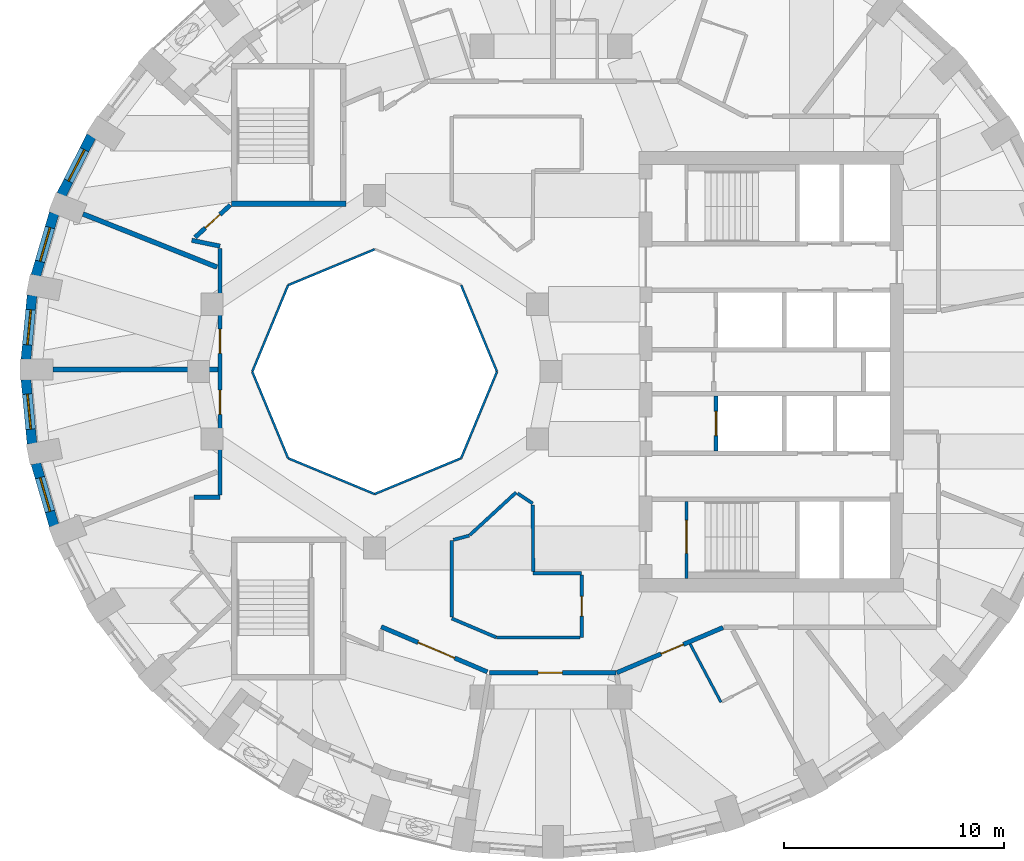
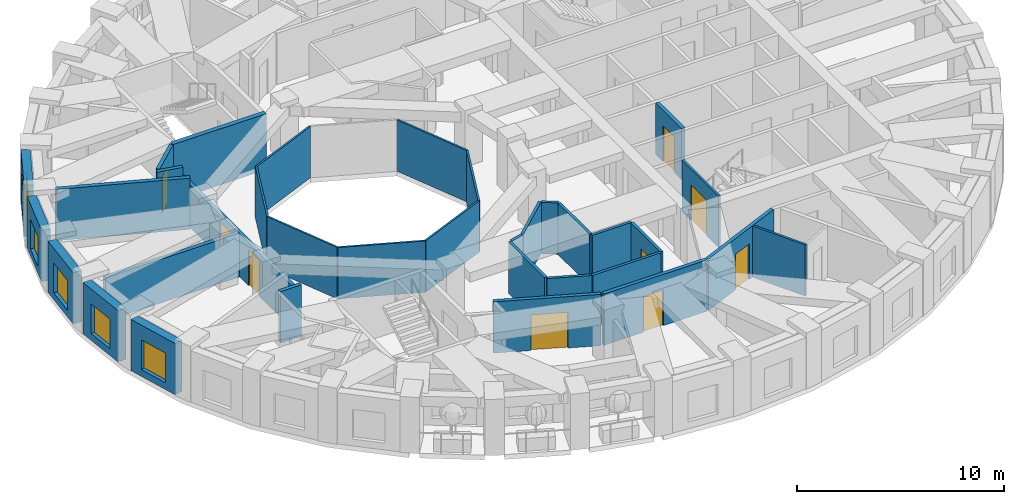
# One storey, part 4 of 12: 34 walls, 9 doors, 5 windows, 14 openings.
"""IFC4 building model written with IfcOpenShell, lengths in metres."""

from ifc_helpers import new_model, si_unit, direction, frame, frame_2d, origin, place, context, subcontext, project, spatial, rectangle, extrude, material, layer, layer_set, type_object, element, fill, save


model = new_model("IFC4")

# Units and contexts
model_context = context("Model", 3, precision=1e-05, world=origin(), true_north=direction((0.0, 1.0)))
body_context = subcontext(model_context, "Body", "Model", "MODEL_VIEW")
ifc_project = project(units=[si_unit("LENGTHUNIT", "METRE"), si_unit("AREAUNIT", "SQUARE_METRE"), si_unit("VOLUMEUNIT", "CUBIC_METRE"), si_unit("PLANEANGLEUNIT", "RADIAN"), si_unit("MASSUNIT", "GRAM", prefix="KILO")], contexts=[model_context])

# Site, building, storey
site_placement = place(None, origin())
site = spatial("IfcSite", under=ifc_project, at=site_placement, CompositionType="ELEMENT")
building_placement = place(site_placement, origin())
building = spatial("IfcBuilding", under=site, at=building_placement, Name="Taillehof Tower", CompositionType="ELEMENT")
storey_placement = place(building_placement, frame((0.0, 0.0, 168.199951171875)))
storey = spatial("IfcBuildingStorey", under=building, at=storey_placement, Name="L47", CompositionType="ELEMENT", Elevation=168.199951171875)

# Walls
ifc_material_1 = material(Name="Fire-resisting glass in steel frame", Category="steel")
ifc_layer_1 = layer(ifc_material_1, 0.10009765625)
ifc_layer_set_1 = layer_set([ifc_layer_1], Name="Atrium fire-resisting screen EI 60 100")
wall_type_1 = type_object("IfcWallType", Name="Atrium fire-resisting screen EI 60 100", PredefinedType="PARTITIONING", material=ifc_layer_set_1)
for number, where, z_axis, x_axis, name in (
    (1, (-2.44580078125, 0.0, 0.0), (0.0, 0.0, 1.0), (-0.382730523909, -0.923860025149, 0.0), "Atrium screen"),
    (2, (-4.07275390625, -3.92724609375, 0.0), (0.0, 0.0, 1.0), (-0.923860025149, -0.382730523909, 0.0), "Atrium screen"),
    (3, (-8.0, -5.55419921875, 0.0), (0.0, 0.0, 1.0), (-0.923860025149, 0.382730523909, 0.0), "Atrium screen"),
    (4, (-11.92724609375, -3.92724609375, 0.0), (0.0, 0.0, 1.0), (-0.382730523909, 0.923860025149, 0.0), "Atrium screen"),
    (5, (-13.55419921875, 0.0, 0.0), (0.0, 0.0, 1.0), (0.382730523909, 0.923860025149, 0.0), "Atrium screen"),
    (6, (-11.92724609375, 3.92724609375, 0.0), (0.0, 0.0, 1.0), (0.923860025149, 0.382730523909, 0.0), "Atrium screen"),
    (7, (-4.07275390625, 3.92724609375, 0.0), (0.0, 0.0, 1.0), (0.382730523909, -0.923860025149, 0.0), "Atrium screen"),
):
    element("IfcWall", number, at=place(storey_placement, frame(where, z_axis=z_axis, x_axis=x_axis)), inside=storey, type_object=wall_type_1, Name=name, PredefinedType="PARTITIONING", context=body_context, shape_type="SweptSolid", body=[
        extrude(rectangle(XDim=4.2509765625, YDim=0.10009765625, at=frame_2d((2.12548828125, 0.0))), origin(), (0.0, 0.0, 1.0), 3.02001953125),
    ])

# Wall, opening, window
ifc_material_2 = material(Name="Brick masonry", Category="masonry")
ifc_layer_2 = layer(ifc_material_2, 0.449951171875)
ifc_layer_set_2 = layer_set([ifc_layer_2], Name="Brick infill wall 450")
wall_type_2 = type_object("IfcWallType", Name="Brick infill wall 450", PredefinedType="SOLIDWALL", material=ifc_layer_set_2)
wall_1_placement = place(storey_placement, frame((-20.859375, 10.697021484375, 0.0), z_axis=(0.0, 0.0, 1.0), x_axis=(-0.454133999889, -0.890933392653, 0.0)))
wall_1 = element("IfcWall", 8, at=wall_1_placement, inside=storey, type_object=wall_type_2, Name="Brick wall L47 bay 16", PredefinedType="SOLIDWALL", context=body_context, shape_type="SweptSolid", body=[
    extrude(rectangle(XDim=2.98583984375, YDim=0.449951171875, at=frame_2d((1.492919921875, 0.0))), origin(), (0.0, 0.0, 1.0), 3.02001953125),
])
opening_1_placement = place(wall_1_placement, frame((0.69287109375, 0.0, 0.39990234375)))
opening_1 = element("IfcOpeningElement", 9, at=opening_1_placement, cuts=wall_1, Name="Opening W3", PredefinedType="OPENING", context=body_context, shape_type="SweptSolid", body=[
    extrude(rectangle(XDim=1.60009765625, YDim=1.75, at=frame_2d((0.800048828125, 0.875))), frame((0.0, 0.23486328125, 0.0), z_axis=(0.0, -1.0, 0.0), x_axis=(1.0, 0.0, 0.0)), (0.0, 0.0, 1.0), 0.469970703125),
])
ifc_material_3 = material(Name="Aluminium window frame with clear double glazing", Category="aluminium")
window_type = type_object("IfcWindowType", Name="Deep-set window 1600x1750", PartitioningType="SINGLE_PANEL", PredefinedType="WINDOW", material=ifc_material_3)
window_1_placement = place(opening_1_placement, origin())
window_1 = element("IfcWindow", 10, at=window_1_placement, inside=storey, type_object=window_type, Name="W3", OverallHeight=1.75, OverallWidth=1.60009765625, PartitioningType="SINGLE_PANEL", PredefinedType="WINDOW", context=body_context, shape_type="SweptSolid", body=[
    extrude(rectangle(XDim=1.60009765625, YDim=1.75, at=frame_2d((0.800048828125, 0.875))), frame((0.0, 0.034912109375, 0.0), z_axis=(0.0, -1.0, 0.0), x_axis=(1.0, 0.0, 0.0)), (0.0, 0.0, 1.0), 0.06005859375),
])
fill(opening_1, window_1)

wall_2_placement = place(storey_placement, frame((-22.55126953125, 7.19091796875, 0.0), z_axis=(0.0, 0.0, 1.0), x_axis=(-0.281125768296, -0.959670934435, 0.0)))
wall_2 = element("IfcWall", 11, at=wall_2_placement, inside=storey, type_object=wall_type_2, Name="Brick wall L47 bay 17", PredefinedType="SOLIDWALL", context=body_context, shape_type="SweptSolid", body=[
    extrude(rectangle(XDim=2.947509765625, YDim=0.449951171875, at=frame_2d((1.4736328125, 0.0))), origin(), (0.0, 0.0, 1.0), 3.02001953125),
])
opening_2_placement = place(wall_2_placement, frame((0.673583984375, 0.0, 0.39990234375)))
opening_2 = element("IfcOpeningElement", 12, at=opening_2_placement, cuts=wall_2, Name="Opening W3", PredefinedType="OPENING", context=body_context, shape_type="SweptSolid", body=[
    extrude(rectangle(XDim=1.60009765625, YDim=1.75, at=frame_2d((0.800048828125, 0.875))), frame((0.0, 0.23486328125, 0.0), z_axis=(0.0, -1.0, 0.0), x_axis=(1.0, 0.0, 0.0)), (0.0, 0.0, 1.0), 0.469970703125),
])
window_2_placement = place(opening_2_placement, origin())
window_2 = element("IfcWindow", 13, at=window_2_placement, inside=storey, type_object=window_type, Name="W3", OverallHeight=1.75, OverallWidth=1.60009765625, PartitioningType="SINGLE_PANEL", PredefinedType="WINDOW", context=body_context, shape_type="SweptSolid", body=[
    extrude(rectangle(XDim=1.60009765625, YDim=1.75, at=frame_2d((0.800048828125, 0.875))), frame((0.0, 0.034912109375, 0.0), z_axis=(0.0, -1.0, 0.0), x_axis=(1.0, 0.0, 0.0)), (0.0, 0.0, 1.0), 0.06005859375),
])
fill(opening_2, window_2)

wall_3_placement = place(storey_placement, frame((-23.5517578125, 3.468505859375, 0.0), z_axis=(0.0, 0.0, 1.0), x_axis=(-0.095265737322, -0.995451876935, 0.0)))
wall_3 = element("IfcWall", 14, at=wall_3_placement, inside=storey, type_object=wall_type_2, Name="Brick wall L47 bay 18", PredefinedType="SOLIDWALL", context=body_context, shape_type="SweptSolid", body=[
    extrude(rectangle(XDim=2.9267578125, YDim=0.449951171875, at=frame_2d((1.46337890625, 0.0))), origin(), (0.0, 0.0, 1.0), 3.02001953125),
])
opening_3_placement = place(wall_3_placement, frame((0.663330078125, 0.0, 0.39990234375)))
opening_3 = element("IfcOpeningElement", 15, at=opening_3_placement, cuts=wall_3, Name="Opening W3", PredefinedType="OPENING", context=body_context, shape_type="SweptSolid", body=[
    extrude(rectangle(XDim=1.60009765625, YDim=1.75, at=frame_2d((0.800048828125, 0.875))), frame((0.0, 0.23486328125, 0.0), z_axis=(0.0, -1.0, 0.0), x_axis=(1.0, 0.0, 0.0)), (0.0, 0.0, 1.0), 0.469970703125),
])
window_3_placement = place(opening_3_placement, origin())
window_3 = element("IfcWindow", 16, at=window_3_placement, inside=storey, type_object=window_type, Name="W3", OverallHeight=1.75, OverallWidth=1.60009765625, PartitioningType="SINGLE_PANEL", PredefinedType="WINDOW", context=body_context, shape_type="SweptSolid", body=[
    extrude(rectangle(XDim=1.60009765625, YDim=1.75, at=frame_2d((0.800048828125, 0.875))), frame((0.0, 0.034912109375, 0.0), z_axis=(0.0, -1.0, 0.0), x_axis=(1.0, 0.0, 0.0)), (0.0, 0.0, 1.0), 0.06005859375),
])
fill(opening_3, window_3)

wall_4_placement = place(storey_placement, frame((-23.83056640625, -0.35498046875, 0.0), z_axis=(0.0, 0.0, 1.0), x_axis=(0.095257827044, -0.995452633924, 0.0)))
wall_4 = element("IfcWall", 17, at=wall_4_placement, inside=storey, type_object=wall_type_2, Name="Brick wall L47 bay 19", PredefinedType="SOLIDWALL", context=body_context, shape_type="SweptSolid", body=[
    extrude(rectangle(XDim=2.927001953125, YDim=0.449951171875, at=frame_2d((1.46337890625, 0.0))), origin(), (0.0, 0.0, 1.0), 3.02001953125),
])
opening_4_placement = place(wall_4_placement, frame((0.663330078125, 0.0, 0.39990234375)))
opening_4 = element("IfcOpeningElement", 18, at=opening_4_placement, cuts=wall_4, Name="Opening W3", PredefinedType="OPENING", context=body_context, shape_type="SweptSolid", body=[
    extrude(rectangle(XDim=1.60009765625, YDim=1.75, at=frame_2d((0.800048828125, 0.875))), frame((0.0, 0.23486328125, 0.0), z_axis=(0.0, -1.0, 0.0), x_axis=(1.0, 0.0, 0.0)), (0.0, 0.0, 1.0), 0.469970703125),
])
window_4_placement = place(opening_4_placement, origin())
window_4 = element("IfcWindow", 19, at=window_4_placement, inside=storey, type_object=window_type, Name="W3", OverallHeight=1.75, OverallWidth=1.60009765625, PartitioningType="SINGLE_PANEL", PredefinedType="WINDOW", context=body_context, shape_type="SweptSolid", body=[
    extrude(rectangle(XDim=1.60009765625, YDim=1.75, at=frame_2d((0.800048828125, 0.875))), frame((0.0, 0.034912109375, 0.0), z_axis=(0.0, -1.0, 0.0), x_axis=(1.0, 0.0, 0.0)), (0.0, 0.0, 1.0), 0.06005859375),
])
fill(opening_4, window_4)

wall_5_placement = place(storey_placement, frame((-23.3798828125, -4.162353515625, 0.0), z_axis=(0.0, 0.0, 1.0), x_axis=(0.281125768296, -0.959670934435, 0.0)))
wall_5 = element("IfcWall", 20, at=wall_5_placement, inside=storey, type_object=wall_type_2, Name="Brick wall L47 bay 20", PredefinedType="SOLIDWALL", context=body_context, shape_type="SweptSolid", body=[
    extrude(rectangle(XDim=2.947509765625, YDim=0.449951171875, at=frame_2d((1.4736328125, 0.0))), origin(), (0.0, 0.0, 1.0), 3.02001953125),
])
opening_5_placement = place(wall_5_placement, frame((0.673583984375, 0.0, 0.39990234375)))
opening_5 = element("IfcOpeningElement", 21, at=opening_5_placement, cuts=wall_5, Name="Opening W3", PredefinedType="OPENING", context=body_context, shape_type="SweptSolid", body=[
    extrude(rectangle(XDim=1.60009765625, YDim=1.75, at=frame_2d((0.800048828125, 0.875))), frame((0.0, 0.23486328125, 0.0), z_axis=(0.0, -1.0, 0.0), x_axis=(1.0, 0.0, 0.0)), (0.0, 0.0, 1.0), 0.469970703125),
])
window_5_placement = place(opening_5_placement, origin())
window_5 = element("IfcWindow", 22, at=window_5_placement, inside=storey, type_object=window_type, Name="W3", OverallHeight=1.75, OverallWidth=1.60009765625, PartitioningType="SINGLE_PANEL", PredefinedType="WINDOW", context=body_context, shape_type="SweptSolid", body=[
    extrude(rectangle(XDim=1.60009765625, YDim=1.75, at=frame_2d((0.800048828125, 0.875))), frame((0.0, 0.034912109375, 0.0), z_axis=(0.0, -1.0, 0.0), x_axis=(1.0, 0.0, 0.0)), (0.0, 0.0, 1.0), 0.06005859375),
])
fill(opening_5, window_5)

# Wall
ifc_material_4 = material(Name="Gypsum board on steel studs, two layers each side", Category="steel")
ifc_layer_3 = layer(ifc_material_4, 0.199951171875)
ifc_layer_set_3 = layer_set([ifc_layer_3], Name="Compartment wall corridor 200")
wall_type_3 = type_object("IfcWallType", Name="Compartment wall corridor 200", PredefinedType="PARTITIONING", material=ifc_layer_set_3)
wall_6_placement = place(storey_placement, frame((-15.0185546875, 5.699951171875, 0.0), z_axis=(0.0, 0.0, 1.0), x_axis=(-0.979555577822, 0.201173730785, 0.0)))
element("IfcWall", 23, at=wall_6_placement, inside=storey, type_object=wall_type_3, Name="Compartment wall", PredefinedType="PARTITIONING", context=body_context, shape_type="SweptSolid", body=[
    extrude(rectangle(XDim=1.308349609375, YDim=0.199951171875, at=frame_2d((0.654296875, 0.0))), origin(), (0.0, 0.0, 1.0), 3.02001953125),
])

# Wall, opening, door
wall_7_placement = place(storey_placement, frame((-16.153564453125, 6.097412109375, 0.0), z_axis=(0.0, 0.0, 1.0), x_axis=(0.736958194284, 0.675938325498, 0.0)))
wall_7 = element("IfcWall", 24, at=wall_7_placement, inside=storey, type_object=wall_type_3, Name="Compartment wall", PredefinedType="PARTITIONING", context=body_context, shape_type="SweptSolid", body=[
    extrude(rectangle(XDim=2.172607421875, YDim=0.199951171875, at=frame_2d((1.08642578125, 0.0))), origin(), (0.0, 0.0, 1.0), 3.02001953125),
])
opening_6_placement = place(wall_7_placement, frame((0.63623046875, 0.0, 0.0)))
opening_6 = element("IfcOpeningElement", 25, at=opening_6_placement, cuts=wall_7, Name="Opening D4747", PredefinedType="OPENING", context=body_context, shape_type="SweptSolid", body=[
    extrude(rectangle(XDim=0.89990234375, YDim=2.10009765625, at=frame_2d((0.449951171875, 1.050048828125))), frame((0.0, 0.10986328125, 0.0), z_axis=(0.0, -1.0, 0.0), x_axis=(1.0, 0.0, 0.0)), (0.0, 0.0, 1.0), 0.219970703125),
])
ifc_material_5 = material(Name="Timber door leaf in steel frame", Category="steel")
door_type_1 = type_object("IfcDoorType", Name="Service room door EI 30 900 x 2100", OperationType="SINGLE_SWING_LEFT", PredefinedType="DOOR", material=ifc_material_5)
door_1_placement = place(opening_6_placement, origin())
door_1 = element("IfcDoor", 26, at=door_1_placement, inside=storey, type_object=door_type_1, Name="D4747", OperationType="SINGLE_SWING_RIGHT", OverallHeight=2.10009765625, OverallWidth=0.89990234375, PredefinedType="DOOR", context=body_context, shape_type="SweptSolid", body=[
    extrude(rectangle(XDim=0.89990234375, YDim=2.10009765625, at=frame_2d((0.449951171875, 1.050048828125))), frame((0.0, 0.02490234375, 0.0), z_axis=(0.0, -1.0, 0.0), x_axis=(1.0, 0.0, 0.0)), (0.0, 0.0, 1.0), 0.050048828125),
])
fill(opening_6, door_1)

wall_8_placement = place(storey_placement, frame((7.81640625, -11.61572265625, 0.0), z_axis=(0.0, 0.0, 1.0), x_axis=(-0.92017534212, -0.391506500271, 0.0)))
wall_8 = element("IfcWall", 27, at=wall_8_placement, inside=storey, type_object=wall_type_3, Name="Compartment wall", PredefinedType="PARTITIONING", context=body_context, shape_type="SweptSolid", body=[
    extrude(rectangle(XDim=5.241943359375, YDim=0.199951171875, at=frame_2d((2.62109375, 0.0))), origin(), (0.0, 0.0, 1.0), 3.02001953125),
])
opening_7_placement = place(wall_8_placement, frame((1.958740234375, 0.0, 0.0)))
opening_7 = element("IfcOpeningElement", 28, at=opening_7_placement, cuts=wall_8, Name="Opening D4754", PredefinedType="OPENING", context=body_context, shape_type="SweptSolid", body=[
    extrude(rectangle(XDim=1.10009765625, YDim=2.10009765625, at=frame_2d((0.550048828125, 1.050048828125))), frame((0.0, 0.10986328125, 0.0), z_axis=(0.0, -1.0, 0.0), x_axis=(1.0, 0.0, 0.0)), (0.0, 0.0, 1.0), 0.219970703125),
])
ifc_material_6 = material(Name="Timber door leaf in steel frame", Category="steel")
door_type_2 = type_object("IfcDoorType", Name="Suite entrance door EI 30 1100 x 2100", OperationType="SINGLE_SWING_LEFT", PredefinedType="DOOR", material=ifc_material_6)
door_2_placement = place(opening_7_placement, origin())
door_2 = element("IfcDoor", 29, at=door_2_placement, inside=storey, type_object=door_type_2, Name="D4754", OperationType="SINGLE_SWING_LEFT", OverallHeight=2.10009765625, OverallWidth=1.10009765625, PredefinedType="DOOR", context=body_context, shape_type="SweptSolid", body=[
    extrude(rectangle(XDim=1.10009765625, YDim=2.10009765625, at=frame_2d((0.550048828125, 1.050048828125))), frame((0.0, 0.02490234375, 0.0), z_axis=(0.0, -1.0, 0.0), x_axis=(1.0, 0.0, 0.0)), (0.0, 0.0, 1.0), 0.050048828125),
])
fill(opening_7, door_2)

wall_9_placement = place(storey_placement, frame((2.952880859375, -13.66796875, 0.0), z_axis=(0.0, 0.0, 1.0), x_axis=(-1.0, 0.0, 0.0)))
wall_9 = element("IfcWall", 30, at=wall_9_placement, inside=storey, type_object=wall_type_3, Name="Compartment wall", PredefinedType="PARTITIONING", context=body_context, shape_type="SweptSolid", body=[
    extrude(rectangle(XDim=5.745849609375, YDim=0.199951171875, at=frame_2d((2.873046875, 0.0))), origin(), (0.0, 0.0, 1.0), 3.02001953125),
])
opening_8_placement = place(wall_9_placement, frame((2.4267578125, 0.0, 0.0)))
opening_8 = element("IfcOpeningElement", 31, at=opening_8_placement, cuts=wall_9, Name="Opening D4753", PredefinedType="OPENING", context=body_context, shape_type="SweptSolid", body=[
    extrude(rectangle(XDim=1.10009765625, YDim=2.10009765625, at=frame_2d((0.550048828125, 1.050048828125))), frame((0.0, 0.10986328125, 0.0), z_axis=(0.0, -1.0, 0.0), x_axis=(1.0, 0.0, 0.0)), (0.0, 0.0, 1.0), 0.219970703125),
])
door_3_placement = place(opening_8_placement, origin())
door_3 = element("IfcDoor", 32, at=door_3_placement, inside=storey, type_object=door_type_2, Name="D4753", OperationType="SINGLE_SWING_RIGHT", OverallHeight=2.10009765625, OverallWidth=1.10009765625, PredefinedType="DOOR", context=body_context, shape_type="SweptSolid", body=[
    extrude(rectangle(XDim=1.10009765625, YDim=2.10009765625, at=frame_2d((0.550048828125, 1.050048828125))), frame((0.0, 0.02490234375, 0.0), z_axis=(0.0, -1.0, 0.0), x_axis=(1.0, 0.0, 0.0)), (0.0, 0.0, 1.0), 0.050048828125),
])
fill(opening_8, door_3)

wall_10_placement = place(storey_placement, frame((-2.884521484375, -13.62890625, 0.0), z_axis=(0.0, 0.0, 1.0), x_axis=(-0.920174661578, 0.391508099775, 0.0)))
wall_10 = element("IfcWall", 33, at=wall_10_placement, inside=storey, type_object=wall_type_3, Name="Compartment wall", PredefinedType="PARTITIONING", context=body_context, shape_type="SweptSolid", body=[
    extrude(rectangle(XDim=5.233154296875, YDim=0.199951171875, at=frame_2d((2.61669921875, 0.0))), origin(), (0.0, 0.0, 1.0), 3.02001953125),
])
opening_9_placement = place(wall_10_placement, frame((1.611572265625, 0.0, 0.0)))
opening_9 = element("IfcOpeningElement", 34, at=opening_9_placement, cuts=wall_10, Name="Opening D4752", PredefinedType="OPENING", context=body_context, shape_type="SweptSolid", body=[
    extrude(rectangle(XDim=1.800048828125, YDim=2.10009765625, at=frame_2d((0.89990234375, 1.050048828125))), frame((0.0, 0.10986328125, 0.0), z_axis=(0.0, -1.0, 0.0), x_axis=(1.0, 0.0, 0.0)), (0.0, 0.0, 1.0), 0.219970703125),
])
ifc_material_7 = material(Name="Timber door leaf in steel frame", Category="steel")
door_type_3 = type_object("IfcDoorType", Name="Lounge and meeting room double door EI 30 1800 x 2100", OperationType="SINGLE_SWING_LEFT", PredefinedType="DOOR", material=ifc_material_7)
door_4_placement = place(opening_9_placement, origin())
door_4 = element("IfcDoor", 35, at=door_4_placement, inside=storey, type_object=door_type_3, Name="D4752", OperationType="DOUBLE_DOOR_SINGLE_SWING", OverallHeight=2.10009765625, OverallWidth=1.800048828125, PredefinedType="DOOR", context=body_context, shape_type="SweptSolid", body=[
    extrude(rectangle(XDim=1.800048828125, YDim=2.10009765625, at=frame_2d((0.89990234375, 1.050048828125))), frame((0.0, 0.02490234375, 0.0), z_axis=(0.0, -1.0, 0.0), x_axis=(1.0, 0.0, 0.0)), (0.0, 0.0, 1.0), 0.050048828125),
])
fill(opening_9, door_4)

# Wall
wall_11_placement = place(storey_placement, frame((-16.199951171875, -5.699951171875, 0.0), z_axis=(0.0, 0.0, 1.0), x_axis=(1.0, 0.0, 0.0)))
element("IfcWall", 36, at=wall_11_placement, inside=storey, type_object=wall_type_3, Name="Compartment wall", PredefinedType="PARTITIONING", context=body_context, shape_type="SweptSolid", body=[
    extrude(rectangle(XDim=1.181396484375, YDim=0.199951171875, at=frame_2d((0.5908203125, 0.0))), origin(), (0.0, 0.0, 1.0), 3.02001953125),
])

# Wall, openings, doors
wall_12_placement = place(storey_placement, frame((-15.0185546875, -5.599853515625, 0.0), z_axis=(0.0, 0.0, 1.0), x_axis=(0.0, 1.0, 0.0)))
wall_12 = element("IfcWall", 37, at=wall_12_placement, inside=storey, type_object=wall_type_3, Name="Compartment wall", PredefinedType="PARTITIONING", context=body_context, shape_type="SweptSolid", body=[
    extrude(rectangle(XDim=11.19970703125, YDim=0.199951171875, at=frame_2d((5.599853515625, 0.0))), origin(), (0.0, 0.0, 1.0), 2.52001953125),
])
opening_10_placement = place(wall_12_placement, frame((6.435546875, 0.0, 0.0)))
opening_10 = element("IfcOpeningElement", 38, at=opening_10_placement, cuts=wall_12, Name="Opening D4748", PredefinedType="OPENING", context=body_context, shape_type="SweptSolid", body=[
    extrude(rectangle(XDim=1.10009765625, YDim=2.10009765625, at=frame_2d((0.550048828125, 1.050048828125))), frame((0.0, 0.10986328125, 0.0), z_axis=(0.0, -1.0, 0.0), x_axis=(1.0, 0.0, 0.0)), (0.0, 0.0, 1.0), 0.219970703125),
])
opening_11_placement = place(wall_12_placement, frame((3.663330078125, 0.0, 0.0)))
opening_11 = element("IfcOpeningElement", 39, at=opening_11_placement, cuts=wall_12, Name="Opening D4749", PredefinedType="OPENING", context=body_context, shape_type="SweptSolid", body=[
    extrude(rectangle(XDim=1.10009765625, YDim=2.10009765625, at=frame_2d((0.550048828125, 1.050048828125))), frame((0.0, 0.10986328125, 0.0), z_axis=(0.0, -1.0, 0.0), x_axis=(1.0, 0.0, 0.0)), (0.0, 0.0, 1.0), 0.219970703125),
])
door_5_placement = place(opening_10_placement, origin())
door_5 = element("IfcDoor", 40, at=door_5_placement, inside=storey, type_object=door_type_2, Name="D4748", OperationType="SINGLE_SWING_LEFT", OverallHeight=2.10009765625, OverallWidth=1.10009765625, PredefinedType="DOOR", context=body_context, shape_type="SweptSolid", body=[
    extrude(rectangle(XDim=1.10009765625, YDim=2.10009765625, at=frame_2d((0.550048828125, 1.050048828125))), frame((0.0, 0.02490234375, 0.0), z_axis=(0.0, -1.0, 0.0), x_axis=(1.0, 0.0, 0.0)), (0.0, 0.0, 1.0), 0.050048828125),
])
fill(opening_10, door_5)
door_6_placement = place(opening_11_placement, origin())
door_6 = element("IfcDoor", 41, at=door_6_placement, inside=storey, type_object=door_type_2, Name="D4749", OperationType="SINGLE_SWING_RIGHT", OverallHeight=2.10009765625, OverallWidth=1.10009765625, PredefinedType="DOOR", context=body_context, shape_type="SweptSolid", body=[
    extrude(rectangle(XDim=1.10009765625, YDim=2.10009765625, at=frame_2d((0.550048828125, 1.050048828125))), frame((0.0, 0.02490234375, 0.0), z_axis=(0.0, -1.0, 0.0), x_axis=(1.0, 0.0, 0.0)), (0.0, 0.0, 1.0), 0.050048828125),
])
fill(opening_11, door_6)

# Walls
ifc_material_8 = material(Name="Gypsum board on double steel studs with mineral wool", Category="steel")
ifc_layer_4 = layer(ifc_material_8, 0.219970703125)
ifc_layer_set_4 = layer_set([ifc_layer_4], Name="Compartment wall guest room 220")
wall_type_4 = type_object("IfcWallType", Name="Compartment wall guest room 220", PredefinedType="PARTITIONING", material=ifc_layer_set_4)
wall_13_placement = place(storey_placement, frame((-21.23876953125, 7.15966796875, 0.0), z_axis=(0.0, 0.0, 1.0), x_axis=(0.929520145478, -0.368771337215, 0.0)))
element("IfcWall", 42, at=wall_13_placement, inside=storey, type_object=wall_type_4, Name="Compartment wall", PredefinedType="PARTITIONING", context=body_context, shape_type="SweptSolid", body=[
    extrude(rectangle(XDim=6.544189453125, YDim=0.219970703125, at=frame_2d((3.27197265625, 0.0))), origin(), (0.0, 0.0, 1.0), 3.02001953125),
])
wall_14_placement = place(storey_placement, frame((-22.60009765625, 0.10009765625, 0.0), z_axis=(0.0, 0.0, 1.0), x_axis=(1.0, 0.0, 0.0)))
element("IfcWall", 43, at=wall_14_placement, inside=storey, type_object=wall_type_4, Name="Compartment wall", PredefinedType="PARTITIONING", context=body_context, shape_type="SweptSolid", body=[
    extrude(rectangle(XDim=7.4814453125, YDim=0.219970703125, at=frame_2d((3.74072265625, 0.0))), origin(), (0.0, 0.0, 1.0), 2.570068359375),
])
ifc_material_9 = material(Name="Gypsum board on steel studs, two layers each side", Category="steel")
ifc_layer_5 = layer(ifc_material_9, 0.14990234375)
ifc_layer_set_5 = layer_set([ifc_layer_5], Name="Compartment wall service room 150")
wall_type_5 = type_object("IfcWallType", Name="Compartment wall service room 150", PredefinedType="PARTITIONING", material=ifc_layer_set_5)
wall_15_placement = place(storey_placement, frame((-0.800048828125, -9.14990234375, 0.0), z_axis=(0.0, 0.0, 1.0), x_axis=(1.0, 0.0, 0.0)))
element("IfcWall", 44, at=wall_15_placement, inside=storey, type_object=wall_type_5, Name="Compartment wall", PredefinedType="PARTITIONING", context=body_context, shape_type="SweptSolid", body=[
    extrude(rectangle(XDim=2.199951171875, YDim=0.14990234375, at=frame_2d((1.10009765625, 0.0))), origin(), (0.0, 0.0, 1.0), 3.02001953125),
])

# Wall, opening, door
wall_16_placement = place(storey_placement, frame((1.39990234375, -9.22998046875, 0.0), z_axis=(0.0, 0.0, 1.0), x_axis=(0.0, -1.0, 0.0)))
wall_16 = element("IfcWall", 45, at=wall_16_placement, inside=storey, type_object=wall_type_5, Name="Compartment wall", PredefinedType="PARTITIONING", context=body_context, shape_type="SweptSolid", body=[
    extrude(rectangle(XDim=2.837890625, YDim=0.14990234375, at=frame_2d((1.4189453125, 0.0))), origin(), (0.0, 0.0, 1.0), 3.02001953125),
])
opening_12_placement = place(wall_16_placement, frame((0.968994140625, 0.0, 0.0)))
opening_12 = element("IfcOpeningElement", 46, at=opening_12_placement, cuts=wall_16, Name="Opening D4761", PredefinedType="OPENING", context=body_context, shape_type="SweptSolid", body=[
    extrude(rectangle(XDim=0.89990234375, YDim=2.10009765625, at=frame_2d((0.449951171875, 1.050048828125))), frame((0.0, 0.0849609375, 0.0), z_axis=(0.0, -1.0, 0.0), x_axis=(1.0, 0.0, 0.0)), (0.0, 0.0, 1.0), 0.169921875),
])
door_7_placement = place(opening_12_placement, origin())
door_7 = element("IfcDoor", 47, at=door_7_placement, inside=storey, type_object=door_type_1, Name="D4761", OperationType="SINGLE_SWING_LEFT", OverallHeight=2.10009765625, OverallWidth=0.89990234375, PredefinedType="DOOR", context=body_context, shape_type="SweptSolid", body=[
    extrude(rectangle(XDim=0.89990234375, YDim=2.10009765625, at=frame_2d((0.449951171875, 1.050048828125))), frame((0.0, 0.02490234375, 0.0), z_axis=(0.0, -1.0, 0.0), x_axis=(1.0, 0.0, 0.0)), (0.0, 0.0, 1.0), 0.050048828125),
])
fill(opening_12, door_7)

# Walls
wall_17_placement = place(storey_placement, frame((1.31982421875, -12.06787109375, 0.0), z_axis=(0.0, 0.0, 1.0), x_axis=(-1.0, 0.0, 0.0)))
element("IfcWall", 48, at=wall_17_placement, inside=storey, type_object=wall_type_5, Name="Compartment wall", PredefinedType="PARTITIONING", context=body_context, shape_type="SweptSolid", body=[
    extrude(rectangle(XDim=3.786376953125, YDim=0.14990234375, at=frame_2d((1.89306640625, 0.0))), origin(), (0.0, 0.0, 1.0), 3.02001953125),
])
wall_18_placement = place(storey_placement, frame((-2.48486328125, -12.06005859375, 0.0), z_axis=(0.0, 0.0, 1.0), x_axis=(-0.920208468563, 0.391428632557, 0.0)))
element("IfcWall", 49, at=wall_18_placement, inside=storey, type_object=wall_type_5, Name="Compartment wall", PredefinedType="PARTITIONING", context=body_context, shape_type="SweptSolid", body=[
    extrude(rectangle(XDim=2.18994140625, YDim=0.14990234375, at=frame_2d((1.094970703125, 0.0))), origin(), (0.0, 0.0, 1.0), 3.02001953125),
])
wall_19_placement = place(storey_placement, frame((-4.5, -11.142822265625, 0.0), z_axis=(0.0, 0.0, 1.0), x_axis=(0.0, 1.0, 0.0)))
element("IfcWall", 50, at=wall_19_placement, inside=storey, type_object=wall_type_5, Name="Compartment wall", PredefinedType="PARTITIONING", context=body_context, shape_type="SweptSolid", body=[
    extrude(rectangle(XDim=3.48779296875, YDim=0.14990234375, at=frame_2d((1.743896484375, 0.0))), origin(), (0.0, 0.0, 1.0), 3.02001953125),
])
wall_20_placement = place(storey_placement, frame((-4.4228515625, -7.634521484375, 0.0), z_axis=(0.0, 0.0, 1.0), x_axis=(0.965874851679, 0.259009210056, 0.0)))
element("IfcWall", 51, at=wall_20_placement, inside=storey, type_object=wall_type_5, Name="Compartment wall", PredefinedType="PARTITIONING", context=body_context, shape_type="SweptSolid", body=[
    extrude(rectangle(XDim=0.74462890625, YDim=0.14990234375, at=frame_2d((0.372314453125, 0.0))), origin(), (0.0, 0.0, 1.0), 3.02001953125),
])
wall_21_placement = place(storey_placement, frame((-3.67431640625, -7.414306640625, 0.0), z_axis=(0.0, 0.0, 1.0), x_axis=(0.735337612747, 0.677700963021, 0.0)))
element("IfcWall", 52, at=wall_21_placement, inside=storey, type_object=wall_type_5, Name="Compartment wall", PredefinedType="PARTITIONING", context=body_context, shape_type="SweptSolid", body=[
    extrude(rectangle(XDim=2.85498046875, YDim=0.14990234375, at=frame_2d((1.427490234375, 0.0))), origin(), (0.0, 0.0, 1.0), 3.02001953125),
])
wall_22_placement = place(storey_placement, frame((-1.508544921875, -5.5244140625, 0.0), z_axis=(0.0, 0.0, 1.0), x_axis=(0.831777054297, -0.555109837731, 0.0)))
element("IfcWall", 53, at=wall_22_placement, inside=storey, type_object=wall_type_5, Name="Compartment wall", PredefinedType="PARTITIONING", context=body_context, shape_type="SweptSolid", body=[
    extrude(rectangle(XDim=0.8251953125, YDim=0.14990234375, at=frame_2d((0.41259765625, 0.0))), origin(), (0.0, 0.0, 1.0), 3.02001953125),
])
wall_23_placement = place(storey_placement, frame((-0.821533203125, -6.04248046875, 0.0), z_axis=(0.0, 0.0, 1.0), x_axis=(0.006774038121, -0.999977055941, 0.0)))
element("IfcWall", 54, at=wall_23_placement, inside=storey, type_object=wall_type_5, Name="Compartment wall", PredefinedType="PARTITIONING", context=body_context, shape_type="SweptSolid", body=[
    extrude(rectangle(XDim=3.02734375, YDim=0.14990234375, at=frame_2d((1.513671875, 0.0))), origin(), (0.0, 0.0, 1.0), 3.02001953125),
])
ifc_material_10 = material(Name="Gypsum board on steel studs, moisture resistant", Category="steel")
ifc_layer_6 = layer(ifc_material_10, 0.1201171875)
ifc_layer_set_6 = layer_set([ifc_layer_6], Name="En-suite wall 120")
wall_type_6 = type_object("IfcWallType", Name="En-suite wall 120", PredefinedType="PARTITIONING", material=ifc_layer_set_6)
wall_24_placement = place(storey_placement, frame((6.322509765625, -12.360107421875, 0.0), z_axis=(0.0, 0.0, 1.0), x_axis=(0.468059755139, -0.883696817703, 0.0)))
element("IfcWall", 55, at=wall_24_placement, inside=storey, type_object=wall_type_6, Name="En-suite wall", PredefinedType="PARTITIONING", context=body_context, shape_type="SweptSolid", body=[
    extrude(rectangle(XDim=2.999267578125, YDim=0.1201171875, at=frame_2d((1.49951171875, 0.0))), origin(), (0.0, 0.0, 1.0), 3.02001953125),
])

# Wall, opening, door
ifc_material_11 = material(Name="Concrete C50/60", Category="concrete")
ifc_layer_7 = layer(ifc_material_11, 0.199951171875)
ifc_layer_set_7 = layer_set([ifc_layer_7], Name="Shaft wall C50/60 200")
wall_type_7 = type_object("IfcWallType", Name="Shaft wall C50/60 200", PredefinedType="SHEAR", material=ifc_layer_set_7)
wall_25_placement = place(storey_placement, frame((7.5, -3.60009765625, 0.0), z_axis=(0.0, 0.0, 1.0), x_axis=(0.0, 1.0, 0.0)))
wall_25 = element("IfcWall", 56, at=wall_25_placement, inside=storey, type_object=wall_type_7, Name="Shaft wall SW", PredefinedType="SHEAR", context=body_context, shape_type="SweptSolid", body=[
    extrude(rectangle(XDim=2.5, YDim=0.199951171875, at=frame_2d((1.25, 0.0))), origin(), (0.0, 0.0, 1.0), 3.02001953125),
])
opening_13_placement = place(wall_25_placement, frame((0.699951171875, 0.0, 0.0)))
opening_13 = element("IfcOpeningElement", 57, at=opening_13_placement, cuts=wall_25, Name="Opening LD1", PredefinedType="OPENING", context=body_context, shape_type="SweptSolid", body=[
    extrude(rectangle(XDim=1.10009765625, YDim=2.10009765625, at=frame_2d((0.550048828125, 1.050048828125))), frame((0.0, 0.10986328125, 0.0), z_axis=(0.0, -1.0, 0.0), x_axis=(1.0, 0.0, 0.0)), (0.0, 0.0, 1.0), 0.219970703125),
])
ifc_material_12 = material(Name="Stainless steel", Category="steel")
door_type_4 = type_object("IfcDoorType", Name="Lift landing door LD1 1100x2100", OperationType="DOUBLE_DOOR_SLIDING", PredefinedType="DOOR", material=ifc_material_12)
door_8_placement = place(opening_13_placement, origin())
door_8 = element("IfcDoor", 58, at=door_8_placement, inside=storey, type_object=door_type_4, Name="Landing door FF2", OperationType="DOUBLE_DOOR_SLIDING", OverallHeight=2.10009765625, OverallWidth=1.10009765625, PredefinedType="DOOR", context=body_context, shape_type="SweptSolid", body=[
    extrude(rectangle(XDim=1.10009765625, YDim=2.10009765625, at=frame_2d((0.550048828125, 1.050048828125))), frame((0.0, 0.02490234375, 0.0), z_axis=(0.0, -1.0, 0.0), x_axis=(1.0, 0.0, 0.0)), (0.0, 0.0, 1.0), 0.050048828125),
])
fill(opening_13, door_8)

ifc_material_13 = material(Name="Concrete C50/60", Category="concrete")
ifc_layer_8 = layer(ifc_material_13, 0.1201171875)
ifc_layer_set_8 = layer_set([ifc_layer_8], Name="Stair lobby wall C50/60 120")
wall_type_8 = type_object("IfcWallType", Name="Stair lobby wall C50/60 120", PredefinedType="SHEAR", material=ifc_layer_set_8)
wall_26_placement = place(storey_placement, frame((6.159912109375, -9.39990234375, 0.0), z_axis=(0.0, 0.0, 1.0), x_axis=(0.0, 1.0, 0.0)))
wall_26 = element("IfcWall", 59, at=wall_26_placement, inside=storey, type_object=wall_type_8, Name="Compartment wall SW", PredefinedType="SHEAR", context=body_context, shape_type="SweptSolid", body=[
    extrude(rectangle(XDim=3.5, YDim=0.1201171875, at=frame_2d((1.75, 0.0))), origin(), (0.0, 0.0, 1.0), 3.02001953125),
])
opening_14_placement = place(wall_26_placement, frame((1.14990234375, 0.0, 0.0)))
opening_14 = element("IfcOpeningElement", 60, at=opening_14_placement, cuts=wall_26, Name="Opening D4711", PredefinedType="OPENING", context=body_context, shape_type="SweptSolid", body=[
    extrude(rectangle(XDim=1.5, YDim=2.10009765625, at=frame_2d((0.75, 1.050048828125))), frame((0.0, 0.070068359375, 0.0), z_axis=(0.0, -1.0, 0.0), x_axis=(1.0, 0.0, 0.0)), (0.0, 0.0, 1.0), 0.14013671875),
])
ifc_material_14 = material(Name="Steel-faced fire door", Category="steel")
door_type_5 = type_object("IfcDoorType", Name="Stair door 1500x2100", OperationType="DOUBLE_DOOR_SINGLE_SWING", PredefinedType="DOOR", material=ifc_material_14)
door_9_placement = place(opening_14_placement, origin())
door_9 = element("IfcDoor", 61, at=door_9_placement, inside=storey, type_object=door_type_5, Name="Stair lobby door S2", OperationType="DOUBLE_DOOR_SINGLE_SWING", OverallHeight=2.10009765625, OverallWidth=1.5, PredefinedType="DOOR", context=body_context, shape_type="SweptSolid", body=[
    extrude(rectangle(XDim=1.5, YDim=2.10009765625, at=frame_2d((0.75, 1.050048828125))), frame((0.0, 0.02490234375, 0.0), z_axis=(0.0, -1.0, 0.0), x_axis=(1.0, 0.0, 0.0)), (0.0, 0.0, 1.0), 0.050048828125),
])
fill(opening_14, door_9)

# Wall
ifc_material_15 = material(Name="Concrete C50/60", Category="concrete")
ifc_layer_9 = layer(ifc_material_15, 0.25)
ifc_layer_set_9 = layer_set([ifc_layer_9], Name="Stair wall C50/60 250")
wall_type_9 = type_object("IfcWallType", Name="Stair wall C50/60 250", PredefinedType="SHEAR", material=ifc_layer_set_9)
wall_27_placement = place(storey_placement, frame((-14.5, 7.625, -0.280029296875), z_axis=(0.0, 0.0, 1.0), x_axis=(1.0, 0.0, 0.0)))
element("IfcWall", 62, at=wall_27_placement, inside=storey, type_object=wall_type_9, Name="Stair wall SC", PredefinedType="SHEAR", context=body_context, shape_type="SweptSolid", body=[
    extrude(rectangle(XDim=5.199951171875, YDim=0.25, at=frame_2d((2.60009765625, 0.0))), origin(), (0.0, 0.0, 1.0), 3.300048828125),
])

save(model, "model.ifc")
